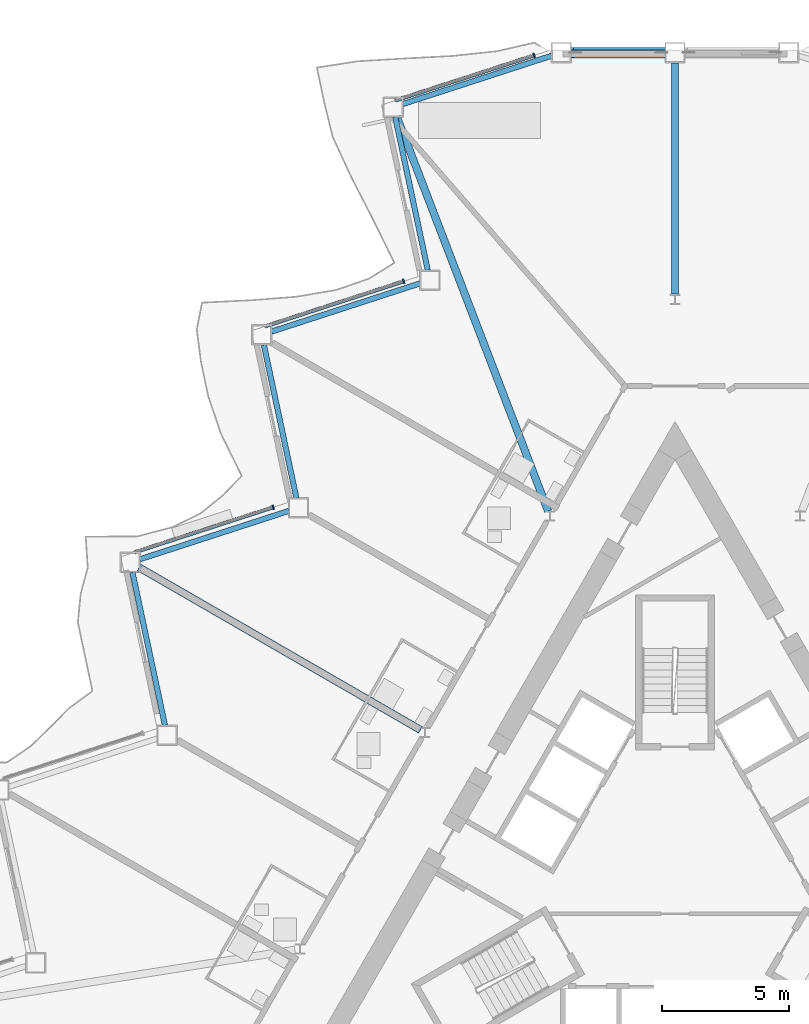
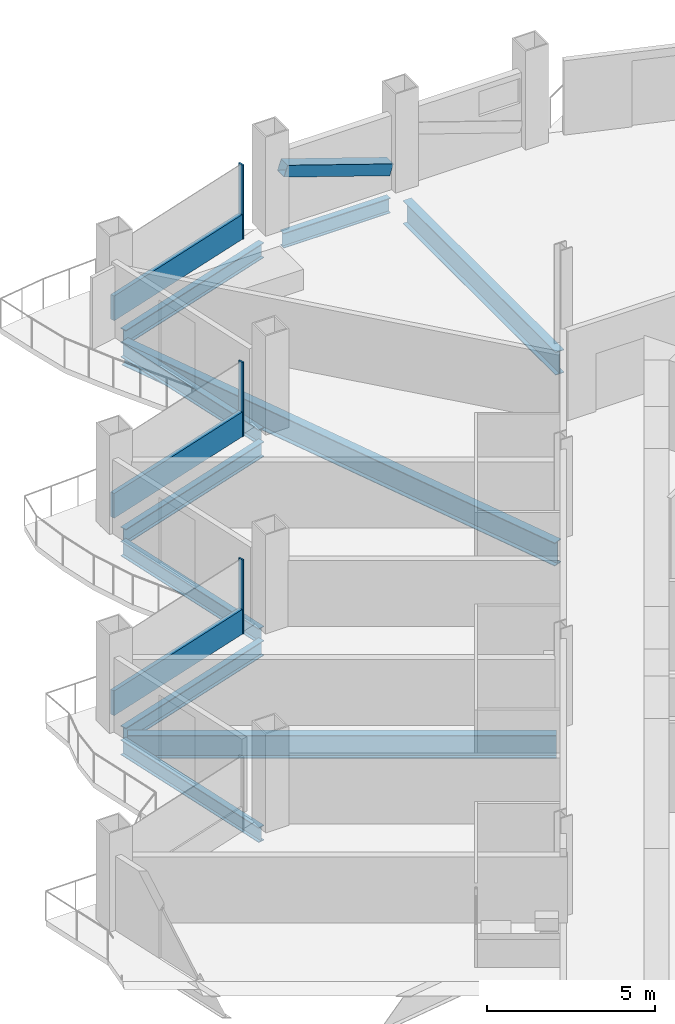
# One storey, part 7 of 23: 10 beams, 7 members, 3 elements without a shape of their own.
"""IFC4 building model written with IfcOpenShell, lengths in metres."""

from ifc_helpers import new_model, si_unit, direction, frame, origin, origin_2d, place, context, subcontext, project, spatial, rectangle, hollow_rectangle, i_section, extrude, material, layer, layer_set, material_profile, profile_set, type_object, element, aggregate, save


model = new_model("IFC4")

# Units and contexts
model_context = context("Model", 3, precision=1e-05, world=origin(), true_north=direction((0.0, 1.0)))
body_context = subcontext(model_context, "Body", "Model", "MODEL_VIEW")
ifc_project = project(units=[si_unit("LENGTHUNIT", "METRE"), si_unit("AREAUNIT", "SQUARE_METRE"), si_unit("VOLUMEUNIT", "CUBIC_METRE"), si_unit("PLANEANGLEUNIT", "RADIAN"), si_unit("MASSUNIT", "GRAM", prefix="KILO")], contexts=[model_context])

# Site, building, storey
site_placement = place(None, origin())
site = spatial("IfcSite", under=ifc_project, at=site_placement, CompositionType="ELEMENT")
building_placement = place(site_placement, origin())
building = spatial("IfcBuilding", under=site, at=building_placement, Name="Cormorant Prow Tower", CompositionType="ELEMENT")
storey_placement = place(building_placement, frame((0.0, 0.0, 183.60009765625)))
storey = spatial("IfcBuildingStorey", under=building, at=storey_placement, Name="L39", CompositionType="ELEMENT", Elevation=183.60009765625)

# Member
ifc_material_1 = material(Name="Structural steel ASTM A500 Gr C", Category="steel")
ifc_material_profile_1 = material_profile(ifc_material_1, hollow_rectangle(XDim=0.406494140625, YDim=0.406494140625, WallThickness=0.01171875, at=origin_2d()), Name="HSS16x16x1/2")
ifc_profile_set_1 = profile_set([ifc_material_profile_1], Name="Structural steel ASTM A500 Gr C")
member_type_1 = type_object("IfcMemberType", Name="Chamfer brace HSS16x16x1/2", PredefinedType="BRACE", material=ifc_profile_set_1)
member_1_placement = place(storey_placement, frame((-0.417236328125, 32.3994140625, 0.739990234375), z_axis=(-0.947999999098, 0.0, 0.318270328039), x_axis=(0.0, -1.0, 0.0)))
element("IfcMember", 1, at=member_1_placement, inside=storey, type_object=member_type_1, Name="Chamfer brace BR2 at N01 L39", PredefinedType="BRACE", context=body_context, shape_type="SweptSolid", body=[
    extrude(hollow_rectangle(XDim=0.406494140625, YDim=0.406494140625, WallThickness=0.01171875, at=origin_2d()), origin(), (0.0, 0.0, 1.0), 3.83544921875),
])

# Curtain wall, member
ifc_material_2 = material(Name="Aluminium 6063-T6", Category="aluminium")
ifc_layer = layer(ifc_material_2, 0.179931640625)
ifc_layer_set = layer_set([ifc_layer], Name="Aluminium 6063-T6")
curtain_wall_type = type_object("IfcCurtainWallType", Name="Hotel unitised curtain wall 180", PredefinedType="NOTDEFINED", material=ifc_layer_set)
curtain_wall_1_placement = place(storey_placement, origin())
curtain_wall_1 = element("IfcCurtainWall", 2, at=curtain_wall_1_placement, inside=storey, type_object=curtain_wall_type, Name="Hotel curtain wall WNW00", PredefinedType="NOTDEFINED")
ifc_material_3 = material(Name="Aluminium 6063-T6", Category="aluminium")
ifc_material_profile_2 = material_profile(ifc_material_3, rectangle(XDim=0.179931640625, YDim=0.06005859375, at=origin_2d()), Name="Hotel mullion 60x180")
ifc_profile_set_2 = profile_set([ifc_material_profile_2], Name="Aluminium 6063-T6")
member_type_2 = type_object("IfcMemberType", Name="Hotel mullion 60x180", PredefinedType="MULLION", material=ifc_profile_set_2)
member_2_placement = place(storey_placement, frame((-5.54052734375, 32.287109375, 0.0), z_axis=(0.0, 0.0, 1.0), x_axis=(0.309016960463, -0.951056527314, 0.0)))
member_2 = element("IfcMember", 3, at=member_2_placement, type_object=member_type_2, Name="Hotel mullion WNW00", PredefinedType="MULLION", context=body_context, shape_type="SweptSolid", body=[
    extrude(rectangle(XDim=0.179931640625, YDim=0.06005859375, at=origin_2d()), origin(), (0.0, 0.0, 1.0), 2.70068359375),
])

curtain_wall_2_placement = place(storey_placement, origin())
curtain_wall_2 = element("IfcCurtainWall", 4, at=curtain_wall_2_placement, inside=storey, type_object=curtain_wall_type, Name="Hotel curtain wall WNW02", PredefinedType="NOTDEFINED")
member_3_placement = place(storey_placement, frame((-10.667724609375, 23.40673828125, 0.0), z_axis=(0.0, 0.0, 1.0), x_axis=(0.309016960463, -0.951056527314, 0.0)))
member_3 = element("IfcMember", 5, at=member_3_placement, type_object=member_type_2, Name="Hotel mullion WNW02", PredefinedType="MULLION", context=body_context, shape_type="SweptSolid", body=[
    extrude(rectangle(XDim=0.179931640625, YDim=0.06005859375, at=origin_2d()), origin(), (0.0, 0.0, 1.0), 2.70068359375),
])

curtain_wall_3_placement = place(storey_placement, origin())
curtain_wall_3 = element("IfcCurtainWall", 6, at=curtain_wall_3_placement, inside=storey, type_object=curtain_wall_type, Name="Hotel curtain wall WNW04", PredefinedType="NOTDEFINED")
member_4_placement = place(storey_placement, frame((-15.794677734375, 14.5263671875, 0.0), z_axis=(0.0, 0.0, 1.0), x_axis=(0.309017048969, -0.951056498556, 0.0)))
member_4 = element("IfcMember", 7, at=member_4_placement, type_object=member_type_2, Name="Hotel mullion WNW04", PredefinedType="MULLION", context=body_context, shape_type="SweptSolid", body=[
    extrude(rectangle(XDim=0.179931640625, YDim=0.06005859375, at=origin_2d()), origin(), (0.0, 0.0, 1.0), 2.70068359375),
])

# Member
ifc_material_4 = material(Name="Terracotta", Category="masonry")
ifc_material_profile_3 = material_profile(ifc_material_4, rectangle(XDim=0.139892578125, YDim=0.89990234375, at=origin_2d()), Name="Hotel terracotta spandrel rail 140x900")
ifc_profile_set_3 = profile_set([ifc_material_profile_3], Name="Terracotta")
member_type_3 = type_object("IfcMemberType", Name="Hotel terracotta spandrel rail 140x900", PredefinedType="USERDEFINED", material=ifc_profile_set_3)
member_5_placement = place(storey_placement, frame((-5.569091796875, 32.27783203125, 0.449951171875), z_axis=(-0.951053256447, -0.309027026975, 0.0), x_axis=(0.309027026975, -0.951053256447, 0.0)))
member_5 = element("IfcMember", 8, at=member_5_placement, type_object=member_type_3, Name="Hotel spandrel rail WNW00", ObjectType="TRANSOM", PredefinedType="USERDEFINED", context=body_context, shape_type="SweptSolid", body=[
    extrude(rectangle(XDim=0.139892578125, YDim=0.89990234375, at=origin_2d()), origin(), (0.0, 0.0, 1.0), 5.703125),
])

aggregate(curtain_wall_1, [member_2, member_5])

member_6_placement = place(storey_placement, frame((-10.6962890625, 23.3974609375, 0.449951171875), z_axis=(-0.951053256447, -0.309027026975, 0.0), x_axis=(0.309027026975, -0.951053256447, 0.0)))
member_6 = element("IfcMember", 9, at=member_6_placement, type_object=member_type_3, Name="Hotel spandrel rail WNW02", ObjectType="TRANSOM", PredefinedType="USERDEFINED", context=body_context, shape_type="SweptSolid", body=[
    extrude(rectangle(XDim=0.139892578125, YDim=0.89990234375, at=origin_2d()), origin(), (0.0, 0.0, 1.0), 5.703125),
])

aggregate(curtain_wall_2, [member_3, member_6])

member_7_placement = place(storey_placement, frame((-15.8232421875, 14.51708984375, 0.449951171875), z_axis=(-0.951053256447, -0.309027026975, 0.0), x_axis=(0.309027026975, -0.951053256447, 0.0)))
member_7 = element("IfcMember", 10, at=member_7_placement, type_object=member_type_3, Name="Hotel spandrel rail WNW04", ObjectType="TRANSOM", PredefinedType="USERDEFINED", context=body_context, shape_type="SweptSolid", body=[
    extrude(rectangle(XDim=0.139892578125, YDim=0.89990234375, at=origin_2d()), origin(), (0.0, 0.0, 1.0), 5.703125),
])

aggregate(curtain_wall_3, [member_4, member_7])

# Beams
ifc_material_5 = material(Name="Structural steel ASTM A992 Gr 50", Category="steel")
ifc_material_profile_4 = material_profile(ifc_material_5, i_section(OverallWidth=0.29296875, OverallDepth=0.845703125, WebThickness=0.015380859375, FlangeThickness=0.0244140625, at=origin_2d()), Name="W33x141")
ifc_profile_set_4 = profile_set([ifc_material_profile_4], Name="Structural steel ASTM A992 Gr 50")
beam_type_1 = type_object("IfcBeamType", Name="Radial floor beam W33x141", PredefinedType="BEAM", material=ifc_profile_set_4)
beam_1_placement = place(storey_placement, frame((0.0, 22.901611328125, -0.77294921875), z_axis=(0.0, 1.0, 0.0), x_axis=(-1.0, 0.0, 0.0)))
element("IfcBeam", 11, at=beam_1_placement, inside=storey, type_object=beam_type_1, Name="Radial floor beam FB2 1 L39", PredefinedType="BEAM", context=body_context, shape_type="SweptSolid", body=[
    extrude(i_section(OverallWidth=0.29296875, OverallDepth=0.845703125, WebThickness=0.015380859375, FlangeThickness=0.0244140625, at=origin_2d()), origin(), (0.0, 0.0, 1.0), 9.097900390625),
])
beam_2_placement = place(storey_placement, frame((-4.9873046875, 14.376220703125, -0.77294921875), z_axis=(-0.358301123829, 0.933606075742, 0.0), x_axis=(-0.933606075742, -0.358301123829, 0.0)))
element("IfcBeam", 12, at=beam_2_placement, inside=storey, type_object=beam_type_1, Name="Radial floor beam FB2 2 L39", PredefinedType="BEAM", context=body_context, shape_type="SweptSolid", body=[
    extrude(i_section(OverallWidth=0.29296875, OverallDepth=0.845703125, WebThickness=0.015380859375, FlangeThickness=0.0244140625, at=origin_2d()), origin(), (0.0, 0.0, 1.0), 16.604736328125),
])
beam_3_placement = place(storey_placement, frame((-10.0048828125, 5.7763671875, -0.77294921875), z_axis=(-0.866026069776, 0.499998846467, 0.0), x_axis=(-0.499998846467, -0.866026069776, 0.0)))
element("IfcBeam", 13, at=beam_3_placement, inside=storey, type_object=beam_type_1, Name="Radial floor beam FB2 3 L39", PredefinedType="BEAM", context=body_context, shape_type="SweptSolid", body=[
    extrude(i_section(OverallWidth=0.29296875, OverallDepth=0.845703125, WebThickness=0.015380859375, FlangeThickness=0.0244140625, at=origin_2d()), origin(), (0.0, 0.0, 1.0), 12.76904296875),
])
ifc_material_6 = material(Name="Structural steel ASTM A992 Gr 50", Category="steel")
ifc_material_profile_5 = material_profile(ifc_material_6, i_section(OverallWidth=0.2138671875, OverallDepth=0.549072265625, WebThickness=0.0146484375, FlangeThickness=0.023681640625, at=origin_2d()), Name="W21x93")
ifc_profile_set_5 = profile_set([ifc_material_profile_5], Name="Structural steel ASTM A992 Gr 50")
beam_type_2 = type_object("IfcBeamType", Name="Spandrel beam W21x93", PredefinedType="SPANDREL", material=ifc_profile_set_5)
beam_4_placement = place(storey_placement, frame((-0.39990234375, 32.3994140625, -0.624755859375), z_axis=(-1.0, 0.0, 0.0), x_axis=(0.0, -1.0, 0.0)))
element("IfcBeam", 14, at=beam_4_placement, inside=storey, type_object=beam_type_2, Name="Spandrel beam SB2 N01-WNW00 L39", PredefinedType="SPANDREL", context=body_context, shape_type="SweptSolid", body=[
    extrude(i_section(OverallWidth=0.2138671875, OverallDepth=0.549072265625, WebThickness=0.0146484375, FlangeThickness=0.023681640625, at=origin_2d()), origin(), (0.0, 0.0, 1.0), 3.67041015625),
])
beam_5_placement = place(storey_placement, frame((-4.850830078125, 32.27587890625, -0.624755859375), z_axis=(-0.951057696564, -0.309013361859, 0.0), x_axis=(0.309013361859, -0.951057696564, 0.0)))
element("IfcBeam", 15, at=beam_5_placement, inside=storey, type_object=beam_type_2, Name="Spandrel beam SB2 WNW00-WNW01 L39", PredefinedType="SPANDREL", context=body_context, shape_type="SweptSolid", body=[
    extrude(i_section(OverallWidth=0.2138671875, OverallDepth=0.549072265625, WebThickness=0.0146484375, FlangeThickness=0.023681640625, at=origin_2d()), origin(), (0.0, 0.0, 1.0), 6.14990234375),
])
beam_6_placement = place(storey_placement, frame((-10.996826171875, 29.860595703125, -0.624755859375), z_axis=(0.207904811195, -0.978149063018, 0.0), x_axis=(0.978149063018, 0.207904811195, 0.0)))
element("IfcBeam", 16, at=beam_6_placement, inside=storey, type_object=beam_type_2, Name="Spandrel beam SB2 WNW01-WNW02 L39", PredefinedType="SPANDREL", context=body_context, shape_type="SweptSolid", body=[
    extrude(i_section(OverallWidth=0.2138671875, OverallDepth=0.549072265625, WebThickness=0.0146484375, FlangeThickness=0.023681640625, at=origin_2d()), origin(), (0.0, 0.0, 1.0), 6.149658203125),
])
beam_7_placement = place(storey_placement, frame((-10.015625, 23.330322265625, -0.624755859375), z_axis=(-0.951057696564, -0.309013361859, 0.0), x_axis=(0.309013361859, -0.951057696564, 0.0)))
element("IfcBeam", 17, at=beam_7_placement, inside=storey, type_object=beam_type_2, Name="Spandrel beam SB2 WNW02-WNW03 L39", PredefinedType="SPANDREL", context=body_context, shape_type="SweptSolid", body=[
    extrude(i_section(OverallWidth=0.2138671875, OverallDepth=0.549072265625, WebThickness=0.0146484375, FlangeThickness=0.023681640625, at=origin_2d()), origin(), (0.0, 0.0, 1.0), 6.14990234375),
])
beam_8_placement = place(storey_placement, frame((-16.16162109375, 20.9150390625, -0.624755859375), z_axis=(0.207904811195, -0.978149063018, 0.0), x_axis=(0.978149063018, 0.207904811195, 0.0)))
element("IfcBeam", 18, at=beam_8_placement, inside=storey, type_object=beam_type_2, Name="Spandrel beam SB2 WNW03-WNW04 L39", PredefinedType="SPANDREL", context=body_context, shape_type="SweptSolid", body=[
    extrude(i_section(OverallWidth=0.2138671875, OverallDepth=0.549072265625, WebThickness=0.0146484375, FlangeThickness=0.023681640625, at=origin_2d()), origin(), (0.0, 0.0, 1.0), 6.149658203125),
])
beam_9_placement = place(storey_placement, frame((-15.18017578125, 14.384765625, -0.624755859375), z_axis=(-0.951057696564, -0.309013361859, 0.0), x_axis=(0.309013361859, -0.951057696564, 0.0)))
element("IfcBeam", 19, at=beam_9_placement, inside=storey, type_object=beam_type_2, Name="Spandrel beam SB2 WNW04-WNW05 L39", PredefinedType="SPANDREL", context=body_context, shape_type="SweptSolid", body=[
    extrude(i_section(OverallWidth=0.2138671875, OverallDepth=0.549072265625, WebThickness=0.0146484375, FlangeThickness=0.023681640625, at=origin_2d()), origin(), (0.0, 0.0, 1.0), 6.14990234375),
])
beam_10_placement = place(storey_placement, frame((-21.326416015625, 11.969482421875, -0.624755859375), z_axis=(0.207904811195, -0.978149063018, 0.0), x_axis=(0.978149063018, 0.207904811195, 0.0)))
element("IfcBeam", 20, at=beam_10_placement, inside=storey, type_object=beam_type_2, Name="Spandrel beam SB2 WNW05-WNW06 L39", PredefinedType="SPANDREL", context=body_context, shape_type="SweptSolid", body=[
    extrude(i_section(OverallWidth=0.2138671875, OverallDepth=0.549072265625, WebThickness=0.0146484375, FlangeThickness=0.023681640625, at=origin_2d()), origin(), (0.0, 0.0, 1.0), 6.149658203125),
])

save(model, "model.ifc")
